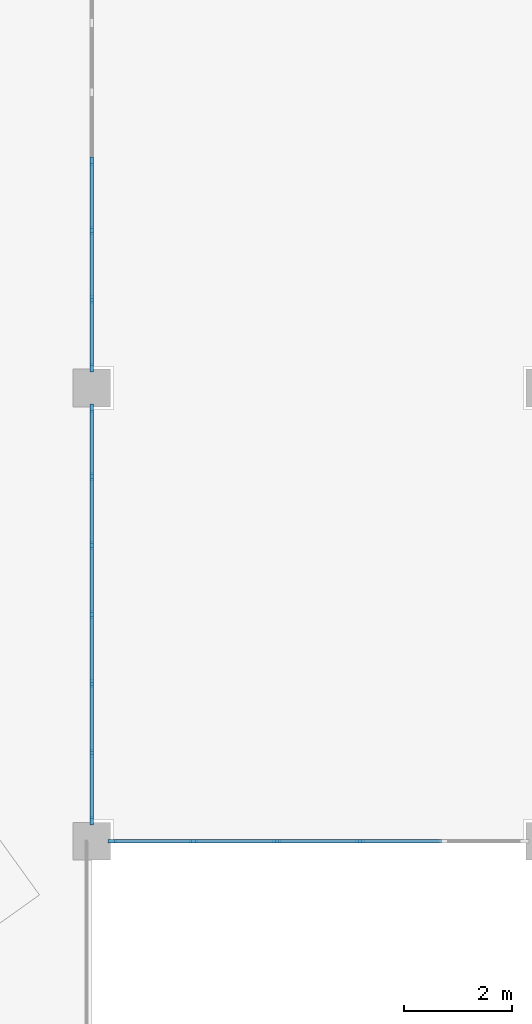
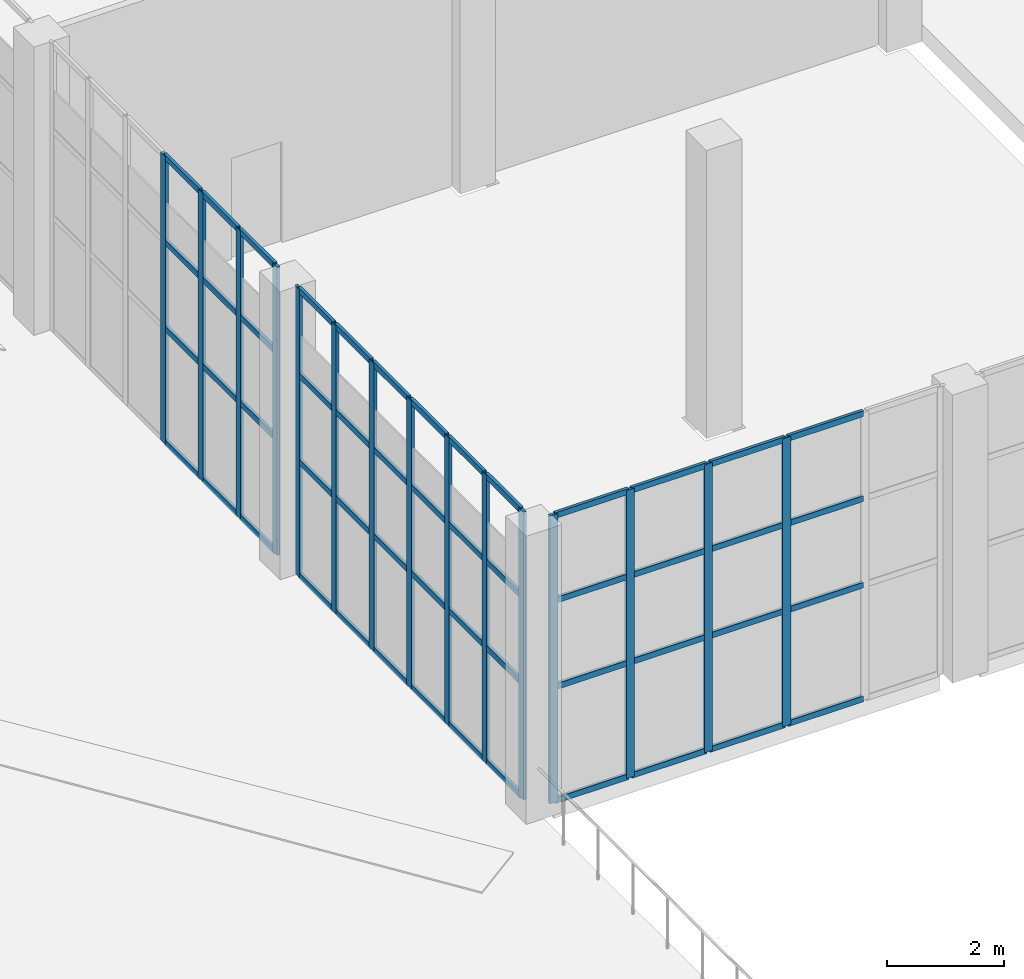
# One storey, part 42 of 210: 67 members, 3 elements without a shape of their own.
"""IFC4 building model written with IfcOpenShell, lengths in metres."""

from ifc_helpers import new_model, si_unit, direction, frame, origin, origin_2d, place, context, subcontext, project, spatial, rectangle, extrude, material, layer, layer_set, material_profile, profile_set, type_object, element, aggregate, save


model = new_model("IFC4")

# Units and contexts
model_context = context("Model", 3, precision=1e-05, world=origin(), true_north=direction((0.0, 1.0)))
body_context = subcontext(model_context, "Body", "Model", "MODEL_VIEW")
ifc_project = project(units=[si_unit("LENGTHUNIT", "METRE"), si_unit("AREAUNIT", "SQUARE_METRE"), si_unit("VOLUMEUNIT", "CUBIC_METRE"), si_unit("PLANEANGLEUNIT", "RADIAN"), si_unit("MASSUNIT", "GRAM", prefix="KILO")], contexts=[model_context])

# Site, building, storey
site_placement = place(None, origin())
site = spatial("IfcSite", under=ifc_project, at=site_placement, CompositionType="ELEMENT")
building_placement = place(site_placement, origin())
building = spatial("IfcBuilding", under=site, at=building_placement, Name="Rain Tree Exposition and Congress Centre", CompositionType="ELEMENT")
storey_placement = place(building_placement, origin())
storey = spatial("IfcBuildingStorey", under=building, at=storey_placement, Name="L00", CompositionType="ELEMENT", Elevation=0.0)

# Curtain wall, members
ifc_material_1 = material(Name="Aluminium", Category="aluminium")
ifc_layer = layer(ifc_material_1, 0.10009765625)
ifc_layer_set = layer_set([ifc_layer], Name="Aluminium")
curtain_wall_type = type_object("IfcCurtainWallType", Name="Curtain wall congress", PredefinedType="NOTDEFINED", material=ifc_layer_set)
curtain_wall_1_placement = place(storey_placement, origin())
curtain_wall_1 = element("IfcCurtainWall", 1, at=curtain_wall_1_placement, inside=storey, type_object=curtain_wall_type, Name="Foyer curtain wall L00 bay 1", PredefinedType="NOTDEFINED")
ifc_material_2 = material(Name="Aluminium", Category="aluminium")
ifc_material_profile_1 = material_profile(ifc_material_2, rectangle(XDim=0.06005859375, YDim=0.159912109375, at=origin_2d()), Name="AL 60x160")
ifc_profile_set_1 = profile_set([ifc_material_profile_1], Name="Aluminium")
member_type_1 = type_object("IfcMemberType", Name="Curtain wall mullion 60x160 congress", PredefinedType="MULLION", material=ifc_profile_set_1)
member_1_placement = place(storey_placement, frame((151.199951171875, 8.780029296875, 0.0), z_axis=(0.0, 0.0, 1.0), x_axis=(-1.0, 0.0, 0.0)))
member_1 = element("IfcMember", 2, at=member_1_placement, type_object=member_type_1, Name="CWG301 mullion 1", PredefinedType="MULLION", context=body_context, shape_type="SweptSolid", body=[
    extrude(rectangle(XDim=0.06005859375, YDim=0.159912109375, at=origin_2d()), origin(), (0.0, 0.0, 1.0), 6.0),
])
member_2_placement = place(storey_placement, frame((151.199951171875, 10.033447265625, 0.0), z_axis=(0.0, 0.0, 1.0), x_axis=(-1.0, 0.0, 0.0)))
member_2 = element("IfcMember", 3, at=member_2_placement, type_object=member_type_1, Name="CWG301 mullion 2", PredefinedType="MULLION", context=body_context, shape_type="SweptSolid", body=[
    extrude(rectangle(XDim=0.06005859375, YDim=0.159912109375, at=origin_2d()), origin(), (0.0, 0.0, 1.0), 6.0),
])
member_3_placement = place(storey_placement, frame((151.199951171875, 11.316650390625, 0.0), z_axis=(0.0, 0.0, 1.0), x_axis=(-1.0, 0.0, 0.0)))
member_3 = element("IfcMember", 4, at=member_3_placement, type_object=member_type_1, Name="CWG301 mullion 3", PredefinedType="MULLION", context=body_context, shape_type="SweptSolid", body=[
    extrude(rectangle(XDim=0.06005859375, YDim=0.159912109375, at=origin_2d()), origin(), (0.0, 0.0, 1.0), 6.0),
])
member_4_placement = place(storey_placement, frame((151.199951171875, 12.60009765625, 0.0), z_axis=(0.0, 0.0, 1.0), x_axis=(-1.0, 0.0, 0.0)))
member_4 = element("IfcMember", 5, at=member_4_placement, type_object=member_type_1, Name="CWG301 mullion 4", PredefinedType="MULLION", context=body_context, shape_type="SweptSolid", body=[
    extrude(rectangle(XDim=0.06005859375, YDim=0.159912109375, at=origin_2d()), origin(), (0.0, 0.0, 1.0), 6.0),
])
member_5_placement = place(storey_placement, frame((151.199951171875, 13.88330078125, 0.0), z_axis=(0.0, 0.0, 1.0), x_axis=(-1.0, 0.0, 0.0)))
member_5 = element("IfcMember", 6, at=member_5_placement, type_object=member_type_1, Name="CWG301 mullion 5", PredefinedType="MULLION", context=body_context, shape_type="SweptSolid", body=[
    extrude(rectangle(XDim=0.06005859375, YDim=0.159912109375, at=origin_2d()), origin(), (0.0, 0.0, 1.0), 6.0),
])
member_6_placement = place(storey_placement, frame((151.199951171875, 15.166748046875, 0.0), z_axis=(0.0, 0.0, 1.0), x_axis=(-1.0, 0.0, 0.0)))
member_6 = element("IfcMember", 7, at=member_6_placement, type_object=member_type_1, Name="CWG301 mullion 6", PredefinedType="MULLION", context=body_context, shape_type="SweptSolid", body=[
    extrude(rectangle(XDim=0.06005859375, YDim=0.159912109375, at=origin_2d()), origin(), (0.0, 0.0, 1.0), 6.0),
])
member_7_placement = place(storey_placement, frame((151.199951171875, 16.419921875, 0.0), z_axis=(0.0, 0.0, 1.0), x_axis=(-1.0, 0.0, 0.0)))
member_7 = element("IfcMember", 8, at=member_7_placement, type_object=member_type_1, Name="CWG301 mullion 7", PredefinedType="MULLION", context=body_context, shape_type="SweptSolid", body=[
    extrude(rectangle(XDim=0.06005859375, YDim=0.159912109375, at=origin_2d()), origin(), (0.0, 0.0, 1.0), 6.0),
])

curtain_wall_2_placement = place(storey_placement, origin())
curtain_wall_2 = element("IfcCurtainWall", 9, at=curtain_wall_2_placement, inside=storey, type_object=curtain_wall_type, Name="Foyer curtain wall L00 bay 2", PredefinedType="NOTDEFINED")
member_8_placement = place(storey_placement, frame((151.199951171875, 17.179931640625, 0.0), z_axis=(0.0, 0.0, 1.0), x_axis=(-1.0, 0.0, 0.0)))
member_8 = element("IfcMember", 10, at=member_8_placement, type_object=member_type_1, Name="CWG302 mullion 1", PredefinedType="MULLION", context=body_context, shape_type="SweptSolid", body=[
    extrude(rectangle(XDim=0.06005859375, YDim=0.159912109375, at=origin_2d()), origin(), (0.0, 0.0, 1.0), 6.0),
])
member_9_placement = place(storey_placement, frame((151.199951171875, 18.433349609375, 0.0), z_axis=(0.0, 0.0, 1.0), x_axis=(-1.0, 0.0, 0.0)))
member_9 = element("IfcMember", 11, at=member_9_placement, type_object=member_type_1, Name="CWG302 mullion 2", PredefinedType="MULLION", context=body_context, shape_type="SweptSolid", body=[
    extrude(rectangle(XDim=0.06005859375, YDim=0.159912109375, at=origin_2d()), origin(), (0.0, 0.0, 1.0), 6.0),
])
member_10_placement = place(storey_placement, frame((151.199951171875, 19.716552734375, 0.0), z_axis=(0.0, 0.0, 1.0), x_axis=(-1.0, 0.0, 0.0)))
member_10 = element("IfcMember", 12, at=member_10_placement, type_object=member_type_1, Name="CWG302 mullion 3", PredefinedType="MULLION", context=body_context, shape_type="SweptSolid", body=[
    extrude(rectangle(XDim=0.06005859375, YDim=0.159912109375, at=origin_2d()), origin(), (0.0, 0.0, 1.0), 6.0),
])
member_11_placement = place(storey_placement, frame((151.199951171875, 21.0, 0.0), z_axis=(0.0, 0.0, 1.0), x_axis=(-1.0, 0.0, 0.0)))
member_11 = element("IfcMember", 13, at=member_11_placement, type_object=member_type_1, Name="CWG302 mullion 4", PredefinedType="MULLION", context=body_context, shape_type="SweptSolid", body=[
    extrude(rectangle(XDim=0.06005859375, YDim=0.159912109375, at=origin_2d()), origin(), (0.0, 0.0, 1.0), 6.0),
])

curtain_wall_3_placement = place(storey_placement, origin())
curtain_wall_3 = element("IfcCurtainWall", 14, at=curtain_wall_3_placement, inside=storey, type_object=curtain_wall_type, Name="Foyer south curtain wall L00 bay 1", PredefinedType="NOTDEFINED")
member_12_placement = place(storey_placement, frame((151.580078125, 8.39990234375, 0.0), z_axis=(0.0, 0.0, 1.0), x_axis=(0.0, 1.0, 0.0)))
member_12 = element("IfcMember", 15, at=member_12_placement, type_object=member_type_1, Name="CWG501 mullion 1", PredefinedType="MULLION", context=body_context, shape_type="SweptSolid", body=[
    extrude(rectangle(XDim=0.06005859375, YDim=0.159912109375, at=origin_2d()), origin(), (0.0, 0.0, 1.0), 6.0),
])
member_13_placement = place(storey_placement, frame((153.090087890625, 8.39990234375, 0.0), z_axis=(0.0, 0.0, 1.0), x_axis=(0.0, 1.0, 0.0)))
member_13 = element("IfcMember", 16, at=member_13_placement, type_object=member_type_1, Name="CWG501 mullion 2", PredefinedType="MULLION", context=body_context, shape_type="SweptSolid", body=[
    extrude(rectangle(XDim=0.06005859375, YDim=0.159912109375, at=origin_2d()), origin(), (0.0, 0.0, 1.0), 6.0),
])
member_14_placement = place(storey_placement, frame((154.6298828125, 8.39990234375, 0.0), z_axis=(0.0, 0.0, 1.0), x_axis=(0.0, 1.0, 0.0)))
member_14 = element("IfcMember", 17, at=member_14_placement, type_object=member_type_1, Name="CWG501 mullion 3", PredefinedType="MULLION", context=body_context, shape_type="SweptSolid", body=[
    extrude(rectangle(XDim=0.06005859375, YDim=0.159912109375, at=origin_2d()), origin(), (0.0, 0.0, 1.0), 6.0),
])
member_15_placement = place(storey_placement, frame((156.169921875, 8.39990234375, 0.0), z_axis=(0.0, 0.0, 1.0), x_axis=(0.0, 1.0, 0.0)))
member_15 = element("IfcMember", 18, at=member_15_placement, type_object=member_type_1, Name="CWG501 mullion 4", PredefinedType="MULLION", context=body_context, shape_type="SweptSolid", body=[
    extrude(rectangle(XDim=0.06005859375, YDim=0.159912109375, at=origin_2d()), origin(), (0.0, 0.0, 1.0), 6.0),
])

# Member
ifc_material_3 = material(Name="Aluminium", Category="aluminium")
ifc_material_profile_2 = material_profile(ifc_material_3, rectangle(XDim=0.06005859375, YDim=0.1201171875, at=origin_2d()), Name="AL 60x120")
ifc_profile_set_2 = profile_set([ifc_material_profile_2], Name="Aluminium")
member_type_2 = type_object("IfcMemberType", Name="Curtain wall transom 60x120 congress", PredefinedType="USERDEFINED", material=ifc_profile_set_2)
member_16_placement = place(storey_placement, frame((151.199951171875, 8.81005859375, 0.030029296875), z_axis=(0.0, 1.0, 0.0), x_axis=(-1.0, 0.0, 0.0)))
member_16 = element("IfcMember", 19, at=member_16_placement, type_object=member_type_2, Name="CWG301 transom 1.1", ObjectType="TRANSOM", PredefinedType="USERDEFINED", context=body_context, shape_type="SweptSolid", body=[
    extrude(rectangle(XDim=0.06005859375, YDim=0.1201171875, at=origin_2d()), origin(), (0.0, 0.0, 1.0), 1.193359375),
])

member_17_placement = place(storey_placement, frame((151.199951171875, 8.81005859375, 2.39990234375), z_axis=(0.0, 1.0, 0.0), x_axis=(-1.0, 0.0, 0.0)))
member_17 = element("IfcMember", 20, at=member_17_placement, type_object=member_type_2, Name="CWG301 transom 1.2", ObjectType="TRANSOM", PredefinedType="USERDEFINED", context=body_context, shape_type="SweptSolid", body=[
    extrude(rectangle(XDim=0.06005859375, YDim=0.1201171875, at=origin_2d()), origin(), (0.0, 0.0, 1.0), 1.193359375),
])

member_18_placement = place(storey_placement, frame((151.199951171875, 8.81005859375, 4.199951171875), z_axis=(0.0, 1.0, 0.0), x_axis=(-1.0, 0.0, 0.0)))
member_18 = element("IfcMember", 21, at=member_18_placement, type_object=member_type_2, Name="CWG301 transom 1.3", ObjectType="TRANSOM", PredefinedType="USERDEFINED", context=body_context, shape_type="SweptSolid", body=[
    extrude(rectangle(XDim=0.06005859375, YDim=0.1201171875, at=origin_2d()), origin(), (0.0, 0.0, 1.0), 1.193359375),
])

member_19_placement = place(storey_placement, frame((151.199951171875, 8.81005859375, 5.969970703125), z_axis=(0.0, 1.0, 0.0), x_axis=(-1.0, 0.0, 0.0)))
member_19 = element("IfcMember", 22, at=member_19_placement, type_object=member_type_2, Name="CWG301 transom 1.4", ObjectType="TRANSOM", PredefinedType="USERDEFINED", context=body_context, shape_type="SweptSolid", body=[
    extrude(rectangle(XDim=0.06005859375, YDim=0.1201171875, at=origin_2d()), origin(), (0.0, 0.0, 1.0), 1.193359375),
])

member_20_placement = place(storey_placement, frame((151.199951171875, 10.063232421875, 0.030029296875), z_axis=(0.0, 1.0, 0.0), x_axis=(-1.0, 0.0, 0.0)))
member_20 = element("IfcMember", 23, at=member_20_placement, type_object=member_type_2, Name="CWG301 transom 2.1", ObjectType="TRANSOM", PredefinedType="USERDEFINED", context=body_context, shape_type="SweptSolid", body=[
    extrude(rectangle(XDim=0.06005859375, YDim=0.1201171875, at=origin_2d()), origin(), (0.0, 0.0, 1.0), 1.223388671875),
])

member_21_placement = place(storey_placement, frame((151.199951171875, 10.063232421875, 2.39990234375), z_axis=(0.0, 1.0, 0.0), x_axis=(-1.0, 0.0, 0.0)))
member_21 = element("IfcMember", 24, at=member_21_placement, type_object=member_type_2, Name="CWG301 transom 2.2", ObjectType="TRANSOM", PredefinedType="USERDEFINED", context=body_context, shape_type="SweptSolid", body=[
    extrude(rectangle(XDim=0.06005859375, YDim=0.1201171875, at=origin_2d()), origin(), (0.0, 0.0, 1.0), 1.223388671875),
])

member_22_placement = place(storey_placement, frame((151.199951171875, 10.063232421875, 4.199951171875), z_axis=(0.0, 1.0, 0.0), x_axis=(-1.0, 0.0, 0.0)))
member_22 = element("IfcMember", 25, at=member_22_placement, type_object=member_type_2, Name="CWG301 transom 2.3", ObjectType="TRANSOM", PredefinedType="USERDEFINED", context=body_context, shape_type="SweptSolid", body=[
    extrude(rectangle(XDim=0.06005859375, YDim=0.1201171875, at=origin_2d()), origin(), (0.0, 0.0, 1.0), 1.223388671875),
])

member_23_placement = place(storey_placement, frame((151.199951171875, 10.063232421875, 5.969970703125), z_axis=(0.0, 1.0, 0.0), x_axis=(-1.0, 0.0, 0.0)))
member_23 = element("IfcMember", 26, at=member_23_placement, type_object=member_type_2, Name="CWG301 transom 2.4", ObjectType="TRANSOM", PredefinedType="USERDEFINED", context=body_context, shape_type="SweptSolid", body=[
    extrude(rectangle(XDim=0.06005859375, YDim=0.1201171875, at=origin_2d()), origin(), (0.0, 0.0, 1.0), 1.223388671875),
])

member_24_placement = place(storey_placement, frame((151.199951171875, 11.3466796875, 0.030029296875), z_axis=(0.0, 1.0, 0.0), x_axis=(-1.0, 0.0, 0.0)))
member_24 = element("IfcMember", 27, at=member_24_placement, type_object=member_type_2, Name="CWG301 transom 3.1", ObjectType="TRANSOM", PredefinedType="USERDEFINED", context=body_context, shape_type="SweptSolid", body=[
    extrude(rectangle(XDim=0.06005859375, YDim=0.1201171875, at=origin_2d()), origin(), (0.0, 0.0, 1.0), 1.223388671875),
])

member_25_placement = place(storey_placement, frame((151.199951171875, 11.3466796875, 2.39990234375), z_axis=(0.0, 1.0, 0.0), x_axis=(-1.0, 0.0, 0.0)))
member_25 = element("IfcMember", 28, at=member_25_placement, type_object=member_type_2, Name="CWG301 transom 3.2", ObjectType="TRANSOM", PredefinedType="USERDEFINED", context=body_context, shape_type="SweptSolid", body=[
    extrude(rectangle(XDim=0.06005859375, YDim=0.1201171875, at=origin_2d()), origin(), (0.0, 0.0, 1.0), 1.223388671875),
])

member_26_placement = place(storey_placement, frame((151.199951171875, 11.3466796875, 4.199951171875), z_axis=(0.0, 1.0, 0.0), x_axis=(-1.0, 0.0, 0.0)))
member_26 = element("IfcMember", 29, at=member_26_placement, type_object=member_type_2, Name="CWG301 transom 3.3", ObjectType="TRANSOM", PredefinedType="USERDEFINED", context=body_context, shape_type="SweptSolid", body=[
    extrude(rectangle(XDim=0.06005859375, YDim=0.1201171875, at=origin_2d()), origin(), (0.0, 0.0, 1.0), 1.223388671875),
])

member_27_placement = place(storey_placement, frame((151.199951171875, 11.3466796875, 5.969970703125), z_axis=(0.0, 1.0, 0.0), x_axis=(-1.0, 0.0, 0.0)))
member_27 = element("IfcMember", 30, at=member_27_placement, type_object=member_type_2, Name="CWG301 transom 3.4", ObjectType="TRANSOM", PredefinedType="USERDEFINED", context=body_context, shape_type="SweptSolid", body=[
    extrude(rectangle(XDim=0.06005859375, YDim=0.1201171875, at=origin_2d()), origin(), (0.0, 0.0, 1.0), 1.223388671875),
])

member_28_placement = place(storey_placement, frame((151.199951171875, 12.6298828125, 0.030029296875), z_axis=(0.0, 1.0, 0.0), x_axis=(-1.0, 0.0, 0.0)))
member_28 = element("IfcMember", 31, at=member_28_placement, type_object=member_type_2, Name="CWG301 transom 4.1", ObjectType="TRANSOM", PredefinedType="USERDEFINED", context=body_context, shape_type="SweptSolid", body=[
    extrude(rectangle(XDim=0.06005859375, YDim=0.1201171875, at=origin_2d()), origin(), (0.0, 0.0, 1.0), 1.223388671875),
])

member_29_placement = place(storey_placement, frame((151.199951171875, 12.6298828125, 2.39990234375), z_axis=(0.0, 1.0, 0.0), x_axis=(-1.0, 0.0, 0.0)))
member_29 = element("IfcMember", 32, at=member_29_placement, type_object=member_type_2, Name="CWG301 transom 4.2", ObjectType="TRANSOM", PredefinedType="USERDEFINED", context=body_context, shape_type="SweptSolid", body=[
    extrude(rectangle(XDim=0.06005859375, YDim=0.1201171875, at=origin_2d()), origin(), (0.0, 0.0, 1.0), 1.223388671875),
])

member_30_placement = place(storey_placement, frame((151.199951171875, 12.6298828125, 4.199951171875), z_axis=(0.0, 1.0, 0.0), x_axis=(-1.0, 0.0, 0.0)))
member_30 = element("IfcMember", 33, at=member_30_placement, type_object=member_type_2, Name="CWG301 transom 4.3", ObjectType="TRANSOM", PredefinedType="USERDEFINED", context=body_context, shape_type="SweptSolid", body=[
    extrude(rectangle(XDim=0.06005859375, YDim=0.1201171875, at=origin_2d()), origin(), (0.0, 0.0, 1.0), 1.223388671875),
])

member_31_placement = place(storey_placement, frame((151.199951171875, 12.6298828125, 5.969970703125), z_axis=(0.0, 1.0, 0.0), x_axis=(-1.0, 0.0, 0.0)))
member_31 = element("IfcMember", 34, at=member_31_placement, type_object=member_type_2, Name="CWG301 transom 4.4", ObjectType="TRANSOM", PredefinedType="USERDEFINED", context=body_context, shape_type="SweptSolid", body=[
    extrude(rectangle(XDim=0.06005859375, YDim=0.1201171875, at=origin_2d()), origin(), (0.0, 0.0, 1.0), 1.223388671875),
])

member_32_placement = place(storey_placement, frame((151.199951171875, 13.913330078125, 0.030029296875), z_axis=(0.0, 1.0, 0.0), x_axis=(-1.0, 0.0, 0.0)))
member_32 = element("IfcMember", 35, at=member_32_placement, type_object=member_type_2, Name="CWG301 transom 5.1", ObjectType="TRANSOM", PredefinedType="USERDEFINED", context=body_context, shape_type="SweptSolid", body=[
    extrude(rectangle(XDim=0.06005859375, YDim=0.1201171875, at=origin_2d()), origin(), (0.0, 0.0, 1.0), 1.223388671875),
])

member_33_placement = place(storey_placement, frame((151.199951171875, 13.913330078125, 2.39990234375), z_axis=(0.0, 1.0, 0.0), x_axis=(-1.0, 0.0, 0.0)))
member_33 = element("IfcMember", 36, at=member_33_placement, type_object=member_type_2, Name="CWG301 transom 5.2", ObjectType="TRANSOM", PredefinedType="USERDEFINED", context=body_context, shape_type="SweptSolid", body=[
    extrude(rectangle(XDim=0.06005859375, YDim=0.1201171875, at=origin_2d()), origin(), (0.0, 0.0, 1.0), 1.223388671875),
])

member_34_placement = place(storey_placement, frame((151.199951171875, 13.913330078125, 4.199951171875), z_axis=(0.0, 1.0, 0.0), x_axis=(-1.0, 0.0, 0.0)))
member_34 = element("IfcMember", 37, at=member_34_placement, type_object=member_type_2, Name="CWG301 transom 5.3", ObjectType="TRANSOM", PredefinedType="USERDEFINED", context=body_context, shape_type="SweptSolid", body=[
    extrude(rectangle(XDim=0.06005859375, YDim=0.1201171875, at=origin_2d()), origin(), (0.0, 0.0, 1.0), 1.223388671875),
])

member_35_placement = place(storey_placement, frame((151.199951171875, 13.913330078125, 5.969970703125), z_axis=(0.0, 1.0, 0.0), x_axis=(-1.0, 0.0, 0.0)))
member_35 = element("IfcMember", 38, at=member_35_placement, type_object=member_type_2, Name="CWG301 transom 5.4", ObjectType="TRANSOM", PredefinedType="USERDEFINED", context=body_context, shape_type="SweptSolid", body=[
    extrude(rectangle(XDim=0.06005859375, YDim=0.1201171875, at=origin_2d()), origin(), (0.0, 0.0, 1.0), 1.223388671875),
])

member_36_placement = place(storey_placement, frame((151.199951171875, 15.19677734375, 0.030029296875), z_axis=(0.0, 1.0, 0.0), x_axis=(-1.0, 0.0, 0.0)))
member_36 = element("IfcMember", 39, at=member_36_placement, type_object=member_type_2, Name="CWG301 transom 6.1", ObjectType="TRANSOM", PredefinedType="USERDEFINED", context=body_context, shape_type="SweptSolid", body=[
    extrude(rectangle(XDim=0.06005859375, YDim=0.1201171875, at=origin_2d()), origin(), (0.0, 0.0, 1.0), 1.193115234375),
])

member_37_placement = place(storey_placement, frame((151.199951171875, 15.19677734375, 2.39990234375), z_axis=(0.0, 1.0, 0.0), x_axis=(-1.0, 0.0, 0.0)))
member_37 = element("IfcMember", 40, at=member_37_placement, type_object=member_type_2, Name="CWG301 transom 6.2", ObjectType="TRANSOM", PredefinedType="USERDEFINED", context=body_context, shape_type="SweptSolid", body=[
    extrude(rectangle(XDim=0.06005859375, YDim=0.1201171875, at=origin_2d()), origin(), (0.0, 0.0, 1.0), 1.193115234375),
])

member_38_placement = place(storey_placement, frame((151.199951171875, 15.19677734375, 4.199951171875), z_axis=(0.0, 1.0, 0.0), x_axis=(-1.0, 0.0, 0.0)))
member_38 = element("IfcMember", 41, at=member_38_placement, type_object=member_type_2, Name="CWG301 transom 6.3", ObjectType="TRANSOM", PredefinedType="USERDEFINED", context=body_context, shape_type="SweptSolid", body=[
    extrude(rectangle(XDim=0.06005859375, YDim=0.1201171875, at=origin_2d()), origin(), (0.0, 0.0, 1.0), 1.193115234375),
])

member_39_placement = place(storey_placement, frame((151.199951171875, 15.19677734375, 5.969970703125), z_axis=(0.0, 1.0, 0.0), x_axis=(-1.0, 0.0, 0.0)))
member_39 = element("IfcMember", 42, at=member_39_placement, type_object=member_type_2, Name="CWG301 transom 6.4", ObjectType="TRANSOM", PredefinedType="USERDEFINED", context=body_context, shape_type="SweptSolid", body=[
    extrude(rectangle(XDim=0.06005859375, YDim=0.1201171875, at=origin_2d()), origin(), (0.0, 0.0, 1.0), 1.193115234375),
])

aggregate(curtain_wall_1, [member_1, member_2, member_3, member_4, member_5, member_6, member_7, member_16, member_17, member_18, member_19, member_20, member_21, member_22, member_23, member_24, member_25, member_26, member_27, member_28, member_29, member_30, member_31, member_32, member_33, member_34, member_35, member_36, member_37, member_38, member_39])

member_40_placement = place(storey_placement, frame((151.199951171875, 17.2099609375, 0.030029296875), z_axis=(0.0, 1.0, 0.0), x_axis=(-1.0, 0.0, 0.0)))
member_40 = element("IfcMember", 43, at=member_40_placement, type_object=member_type_2, Name="CWG302 transom 1.1", ObjectType="TRANSOM", PredefinedType="USERDEFINED", context=body_context, shape_type="SweptSolid", body=[
    extrude(rectangle(XDim=0.06005859375, YDim=0.1201171875, at=origin_2d()), origin(), (0.0, 0.0, 1.0), 1.193359375),
])

member_41_placement = place(storey_placement, frame((151.199951171875, 17.2099609375, 2.39990234375), z_axis=(0.0, 1.0, 0.0), x_axis=(-1.0, 0.0, 0.0)))
member_41 = element("IfcMember", 44, at=member_41_placement, type_object=member_type_2, Name="CWG302 transom 1.2", ObjectType="TRANSOM", PredefinedType="USERDEFINED", context=body_context, shape_type="SweptSolid", body=[
    extrude(rectangle(XDim=0.06005859375, YDim=0.1201171875, at=origin_2d()), origin(), (0.0, 0.0, 1.0), 1.193359375),
])

member_42_placement = place(storey_placement, frame((151.199951171875, 17.2099609375, 4.199951171875), z_axis=(0.0, 1.0, 0.0), x_axis=(-1.0, 0.0, 0.0)))
member_42 = element("IfcMember", 45, at=member_42_placement, type_object=member_type_2, Name="CWG302 transom 1.3", ObjectType="TRANSOM", PredefinedType="USERDEFINED", context=body_context, shape_type="SweptSolid", body=[
    extrude(rectangle(XDim=0.06005859375, YDim=0.1201171875, at=origin_2d()), origin(), (0.0, 0.0, 1.0), 1.193359375),
])

member_43_placement = place(storey_placement, frame((151.199951171875, 17.2099609375, 5.969970703125), z_axis=(0.0, 1.0, 0.0), x_axis=(-1.0, 0.0, 0.0)))
member_43 = element("IfcMember", 46, at=member_43_placement, type_object=member_type_2, Name="CWG302 transom 1.4", ObjectType="TRANSOM", PredefinedType="USERDEFINED", context=body_context, shape_type="SweptSolid", body=[
    extrude(rectangle(XDim=0.06005859375, YDim=0.1201171875, at=origin_2d()), origin(), (0.0, 0.0, 1.0), 1.193359375),
])

member_44_placement = place(storey_placement, frame((151.199951171875, 18.46337890625, 0.030029296875), z_axis=(0.0, 1.0, 0.0), x_axis=(-1.0, 0.0, 0.0)))
member_44 = element("IfcMember", 47, at=member_44_placement, type_object=member_type_2, Name="CWG302 transom 2.1", ObjectType="TRANSOM", PredefinedType="USERDEFINED", context=body_context, shape_type="SweptSolid", body=[
    extrude(rectangle(XDim=0.06005859375, YDim=0.1201171875, at=origin_2d()), origin(), (0.0, 0.0, 1.0), 1.223388671875),
])

member_45_placement = place(storey_placement, frame((151.199951171875, 18.46337890625, 2.39990234375), z_axis=(0.0, 1.0, 0.0), x_axis=(-1.0, 0.0, 0.0)))
member_45 = element("IfcMember", 48, at=member_45_placement, type_object=member_type_2, Name="CWG302 transom 2.2", ObjectType="TRANSOM", PredefinedType="USERDEFINED", context=body_context, shape_type="SweptSolid", body=[
    extrude(rectangle(XDim=0.06005859375, YDim=0.1201171875, at=origin_2d()), origin(), (0.0, 0.0, 1.0), 1.223388671875),
])

member_46_placement = place(storey_placement, frame((151.199951171875, 18.46337890625, 4.199951171875), z_axis=(0.0, 1.0, 0.0), x_axis=(-1.0, 0.0, 0.0)))
member_46 = element("IfcMember", 49, at=member_46_placement, type_object=member_type_2, Name="CWG302 transom 2.3", ObjectType="TRANSOM", PredefinedType="USERDEFINED", context=body_context, shape_type="SweptSolid", body=[
    extrude(rectangle(XDim=0.06005859375, YDim=0.1201171875, at=origin_2d()), origin(), (0.0, 0.0, 1.0), 1.223388671875),
])

member_47_placement = place(storey_placement, frame((151.199951171875, 18.46337890625, 5.969970703125), z_axis=(0.0, 1.0, 0.0), x_axis=(-1.0, 0.0, 0.0)))
member_47 = element("IfcMember", 50, at=member_47_placement, type_object=member_type_2, Name="CWG302 transom 2.4", ObjectType="TRANSOM", PredefinedType="USERDEFINED", context=body_context, shape_type="SweptSolid", body=[
    extrude(rectangle(XDim=0.06005859375, YDim=0.1201171875, at=origin_2d()), origin(), (0.0, 0.0, 1.0), 1.223388671875),
])

member_48_placement = place(storey_placement, frame((151.199951171875, 19.74658203125, 0.030029296875), z_axis=(0.0, 1.0, 0.0), x_axis=(-1.0, 0.0, 0.0)))
member_48 = element("IfcMember", 51, at=member_48_placement, type_object=member_type_2, Name="CWG302 transom 3.1", ObjectType="TRANSOM", PredefinedType="USERDEFINED", context=body_context, shape_type="SweptSolid", body=[
    extrude(rectangle(XDim=0.06005859375, YDim=0.1201171875, at=origin_2d()), origin(), (0.0, 0.0, 1.0), 1.223388671875),
])

member_49_placement = place(storey_placement, frame((151.199951171875, 19.74658203125, 2.39990234375), z_axis=(0.0, 1.0, 0.0), x_axis=(-1.0, 0.0, 0.0)))
member_49 = element("IfcMember", 52, at=member_49_placement, type_object=member_type_2, Name="CWG302 transom 3.2", ObjectType="TRANSOM", PredefinedType="USERDEFINED", context=body_context, shape_type="SweptSolid", body=[
    extrude(rectangle(XDim=0.06005859375, YDim=0.1201171875, at=origin_2d()), origin(), (0.0, 0.0, 1.0), 1.223388671875),
])

member_50_placement = place(storey_placement, frame((151.199951171875, 19.74658203125, 4.199951171875), z_axis=(0.0, 1.0, 0.0), x_axis=(-1.0, 0.0, 0.0)))
member_50 = element("IfcMember", 53, at=member_50_placement, type_object=member_type_2, Name="CWG302 transom 3.3", ObjectType="TRANSOM", PredefinedType="USERDEFINED", context=body_context, shape_type="SweptSolid", body=[
    extrude(rectangle(XDim=0.06005859375, YDim=0.1201171875, at=origin_2d()), origin(), (0.0, 0.0, 1.0), 1.223388671875),
])

member_51_placement = place(storey_placement, frame((151.199951171875, 19.74658203125, 5.969970703125), z_axis=(0.0, 1.0, 0.0), x_axis=(-1.0, 0.0, 0.0)))
member_51 = element("IfcMember", 54, at=member_51_placement, type_object=member_type_2, Name="CWG302 transom 3.4", ObjectType="TRANSOM", PredefinedType="USERDEFINED", context=body_context, shape_type="SweptSolid", body=[
    extrude(rectangle(XDim=0.06005859375, YDim=0.1201171875, at=origin_2d()), origin(), (0.0, 0.0, 1.0), 1.223388671875),
])

aggregate(curtain_wall_2, [member_8, member_9, member_10, member_11, member_40, member_41, member_42, member_43, member_44, member_45, member_46, member_47, member_48, member_49, member_50, member_51])

member_52_placement = place(storey_placement, frame((151.610107421875, 8.39990234375, 0.030029296875), z_axis=(1.0, 0.0, 0.0), x_axis=(0.0, 1.0, 0.0)))
member_52 = element("IfcMember", 55, at=member_52_placement, type_object=member_type_2, Name="CWG501 transom 1.1", ObjectType="TRANSOM", PredefinedType="USERDEFINED", context=body_context, shape_type="SweptSolid", body=[
    extrude(rectangle(XDim=0.06005859375, YDim=0.1201171875, at=origin_2d()), origin(), (0.0, 0.0, 1.0), 1.449951171875),
])

member_53_placement = place(storey_placement, frame((151.610107421875, 8.39990234375, 2.39990234375), z_axis=(1.0, 0.0, 0.0), x_axis=(0.0, 1.0, 0.0)))
member_53 = element("IfcMember", 56, at=member_53_placement, type_object=member_type_2, Name="CWG501 transom 1.2", ObjectType="TRANSOM", PredefinedType="USERDEFINED", context=body_context, shape_type="SweptSolid", body=[
    extrude(rectangle(XDim=0.06005859375, YDim=0.1201171875, at=origin_2d()), origin(), (0.0, 0.0, 1.0), 1.449951171875),
])

member_54_placement = place(storey_placement, frame((151.610107421875, 8.39990234375, 4.199951171875), z_axis=(1.0, 0.0, 0.0), x_axis=(0.0, 1.0, 0.0)))
member_54 = element("IfcMember", 57, at=member_54_placement, type_object=member_type_2, Name="CWG501 transom 1.3", ObjectType="TRANSOM", PredefinedType="USERDEFINED", context=body_context, shape_type="SweptSolid", body=[
    extrude(rectangle(XDim=0.06005859375, YDim=0.1201171875, at=origin_2d()), origin(), (0.0, 0.0, 1.0), 1.449951171875),
])

member_55_placement = place(storey_placement, frame((151.610107421875, 8.39990234375, 5.969970703125), z_axis=(1.0, 0.0, 0.0), x_axis=(0.0, 1.0, 0.0)))
member_55 = element("IfcMember", 58, at=member_55_placement, type_object=member_type_2, Name="CWG501 transom 1.4", ObjectType="TRANSOM", PredefinedType="USERDEFINED", context=body_context, shape_type="SweptSolid", body=[
    extrude(rectangle(XDim=0.06005859375, YDim=0.1201171875, at=origin_2d()), origin(), (0.0, 0.0, 1.0), 1.449951171875),
])

member_56_placement = place(storey_placement, frame((153.1201171875, 8.39990234375, 0.030029296875), z_axis=(1.0, 0.0, 0.0), x_axis=(0.0, 1.0, 0.0)))
member_56 = element("IfcMember", 59, at=member_56_placement, type_object=member_type_2, Name="CWG501 transom 2.1", ObjectType="TRANSOM", PredefinedType="USERDEFINED", context=body_context, shape_type="SweptSolid", body=[
    extrude(rectangle(XDim=0.06005859375, YDim=0.1201171875, at=origin_2d()), origin(), (0.0, 0.0, 1.0), 1.47998046875),
])

member_57_placement = place(storey_placement, frame((153.1201171875, 8.39990234375, 2.39990234375), z_axis=(1.0, 0.0, 0.0), x_axis=(0.0, 1.0, 0.0)))
member_57 = element("IfcMember", 60, at=member_57_placement, type_object=member_type_2, Name="CWG501 transom 2.2", ObjectType="TRANSOM", PredefinedType="USERDEFINED", context=body_context, shape_type="SweptSolid", body=[
    extrude(rectangle(XDim=0.06005859375, YDim=0.1201171875, at=origin_2d()), origin(), (0.0, 0.0, 1.0), 1.47998046875),
])

member_58_placement = place(storey_placement, frame((153.1201171875, 8.39990234375, 4.199951171875), z_axis=(1.0, 0.0, 0.0), x_axis=(0.0, 1.0, 0.0)))
member_58 = element("IfcMember", 61, at=member_58_placement, type_object=member_type_2, Name="CWG501 transom 2.3", ObjectType="TRANSOM", PredefinedType="USERDEFINED", context=body_context, shape_type="SweptSolid", body=[
    extrude(rectangle(XDim=0.06005859375, YDim=0.1201171875, at=origin_2d()), origin(), (0.0, 0.0, 1.0), 1.47998046875),
])

member_59_placement = place(storey_placement, frame((153.1201171875, 8.39990234375, 5.969970703125), z_axis=(1.0, 0.0, 0.0), x_axis=(0.0, 1.0, 0.0)))
member_59 = element("IfcMember", 62, at=member_59_placement, type_object=member_type_2, Name="CWG501 transom 2.4", ObjectType="TRANSOM", PredefinedType="USERDEFINED", context=body_context, shape_type="SweptSolid", body=[
    extrude(rectangle(XDim=0.06005859375, YDim=0.1201171875, at=origin_2d()), origin(), (0.0, 0.0, 1.0), 1.47998046875),
])

member_60_placement = place(storey_placement, frame((154.659912109375, 8.39990234375, 0.030029296875), z_axis=(1.0, 0.0, 0.0), x_axis=(0.0, 1.0, 0.0)))
member_60 = element("IfcMember", 63, at=member_60_placement, type_object=member_type_2, Name="CWG501 transom 3.1", ObjectType="TRANSOM", PredefinedType="USERDEFINED", context=body_context, shape_type="SweptSolid", body=[
    extrude(rectangle(XDim=0.06005859375, YDim=0.1201171875, at=origin_2d()), origin(), (0.0, 0.0, 1.0), 1.47998046875),
])

member_61_placement = place(storey_placement, frame((154.659912109375, 8.39990234375, 2.39990234375), z_axis=(1.0, 0.0, 0.0), x_axis=(0.0, 1.0, 0.0)))
member_61 = element("IfcMember", 64, at=member_61_placement, type_object=member_type_2, Name="CWG501 transom 3.2", ObjectType="TRANSOM", PredefinedType="USERDEFINED", context=body_context, shape_type="SweptSolid", body=[
    extrude(rectangle(XDim=0.06005859375, YDim=0.1201171875, at=origin_2d()), origin(), (0.0, 0.0, 1.0), 1.47998046875),
])

member_62_placement = place(storey_placement, frame((154.659912109375, 8.39990234375, 4.199951171875), z_axis=(1.0, 0.0, 0.0), x_axis=(0.0, 1.0, 0.0)))
member_62 = element("IfcMember", 65, at=member_62_placement, type_object=member_type_2, Name="CWG501 transom 3.3", ObjectType="TRANSOM", PredefinedType="USERDEFINED", context=body_context, shape_type="SweptSolid", body=[
    extrude(rectangle(XDim=0.06005859375, YDim=0.1201171875, at=origin_2d()), origin(), (0.0, 0.0, 1.0), 1.47998046875),
])

member_63_placement = place(storey_placement, frame((154.659912109375, 8.39990234375, 5.969970703125), z_axis=(1.0, 0.0, 0.0), x_axis=(0.0, 1.0, 0.0)))
member_63 = element("IfcMember", 66, at=member_63_placement, type_object=member_type_2, Name="CWG501 transom 3.4", ObjectType="TRANSOM", PredefinedType="USERDEFINED", context=body_context, shape_type="SweptSolid", body=[
    extrude(rectangle(XDim=0.06005859375, YDim=0.1201171875, at=origin_2d()), origin(), (0.0, 0.0, 1.0), 1.47998046875),
])

member_64_placement = place(storey_placement, frame((156.199951171875, 8.39990234375, 0.030029296875), z_axis=(1.0, 0.0, 0.0), x_axis=(0.0, 1.0, 0.0)))
member_64 = element("IfcMember", 67, at=member_64_placement, type_object=member_type_2, Name="CWG501 transom 4.1", ObjectType="TRANSOM", PredefinedType="USERDEFINED", context=body_context, shape_type="SweptSolid", body=[
    extrude(rectangle(XDim=0.06005859375, YDim=0.1201171875, at=origin_2d()), origin(), (0.0, 0.0, 1.0), 1.47998046875),
])

member_65_placement = place(storey_placement, frame((156.199951171875, 8.39990234375, 2.39990234375), z_axis=(1.0, 0.0, 0.0), x_axis=(0.0, 1.0, 0.0)))
member_65 = element("IfcMember", 68, at=member_65_placement, type_object=member_type_2, Name="CWG501 transom 4.2", ObjectType="TRANSOM", PredefinedType="USERDEFINED", context=body_context, shape_type="SweptSolid", body=[
    extrude(rectangle(XDim=0.06005859375, YDim=0.1201171875, at=origin_2d()), origin(), (0.0, 0.0, 1.0), 1.47998046875),
])

member_66_placement = place(storey_placement, frame((156.199951171875, 8.39990234375, 4.199951171875), z_axis=(1.0, 0.0, 0.0), x_axis=(0.0, 1.0, 0.0)))
member_66 = element("IfcMember", 69, at=member_66_placement, type_object=member_type_2, Name="CWG501 transom 4.3", ObjectType="TRANSOM", PredefinedType="USERDEFINED", context=body_context, shape_type="SweptSolid", body=[
    extrude(rectangle(XDim=0.06005859375, YDim=0.1201171875, at=origin_2d()), origin(), (0.0, 0.0, 1.0), 1.47998046875),
])

member_67_placement = place(storey_placement, frame((156.199951171875, 8.39990234375, 5.969970703125), z_axis=(1.0, 0.0, 0.0), x_axis=(0.0, 1.0, 0.0)))
member_67 = element("IfcMember", 70, at=member_67_placement, type_object=member_type_2, Name="CWG501 transom 4.4", ObjectType="TRANSOM", PredefinedType="USERDEFINED", context=body_context, shape_type="SweptSolid", body=[
    extrude(rectangle(XDim=0.06005859375, YDim=0.1201171875, at=origin_2d()), origin(), (0.0, 0.0, 1.0), 1.47998046875),
])

aggregate(curtain_wall_3, [member_12, member_13, member_14, member_15, member_52, member_53, member_54, member_55, member_56, member_57, member_58, member_59, member_60, member_61, member_62, member_63, member_64, member_65, member_66, member_67])

save(model, "model.ifc")
